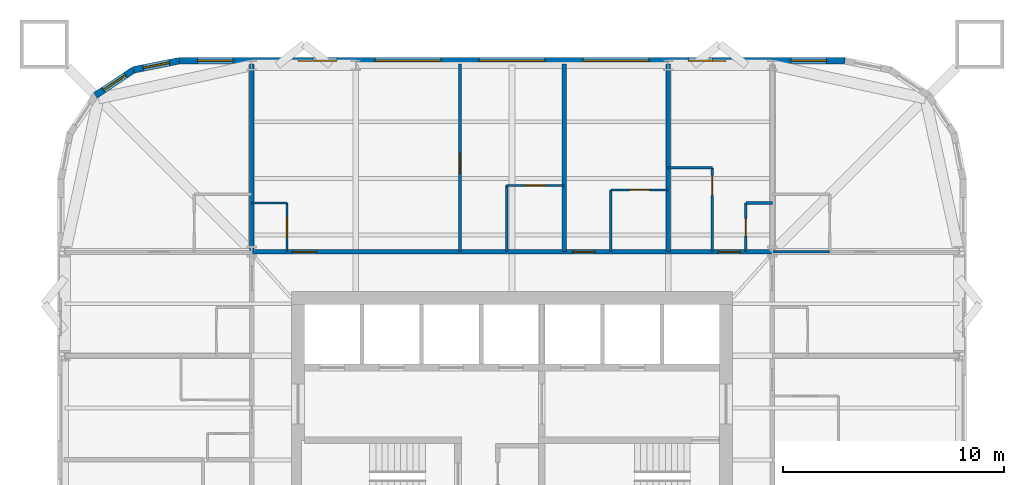
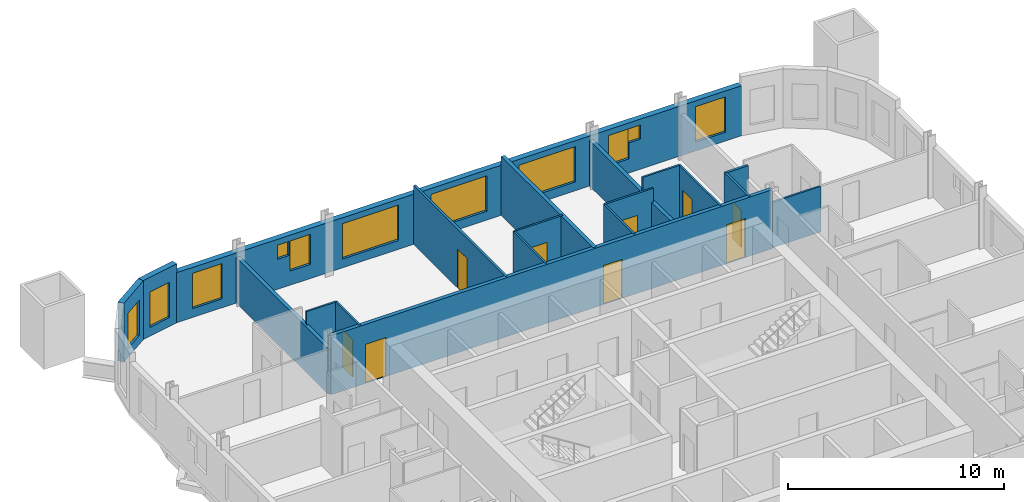
# One storey, part 8 of 10: 19 walls, 11 windows, 9 doors, 20 openings.
"""IFC4 building model written with IfcOpenShell, lengths in metres."""

from ifc_helpers import new_model, si_unit, direction, frame, frame_2d, origin, place, context, subcontext, project, spatial, rectangle, extrude, material, layer, layer_set, type_object, element, fill, save


model = new_model("IFC4")

# Units and contexts
model_context = context("Model", 3, precision=1e-05, world=origin(), true_north=direction((0.0, 1.0)))
body_context = subcontext(model_context, "Body", "Model", "MODEL_VIEW")
ifc_project = project(units=[si_unit("LENGTHUNIT", "METRE"), si_unit("AREAUNIT", "SQUARE_METRE"), si_unit("VOLUMEUNIT", "CUBIC_METRE"), si_unit("PLANEANGLEUNIT", "RADIAN"), si_unit("MASSUNIT", "GRAM", prefix="KILO")], contexts=[model_context])

# Site, building, storey
site_placement = place(None, origin())
site = spatial("IfcSite", under=ifc_project, at=site_placement, CompositionType="ELEMENT")
building_placement = place(site_placement, origin())
building = spatial("IfcBuilding", under=site, at=building_placement, Name="Turquesa Mirador Hotel Tower", CompositionType="ELEMENT")
storey_placement = place(building_placement, frame((0.0, 0.0, 138.89990234375)))
storey = spatial("IfcBuildingStorey", under=building, at=storey_placement, Name="L37", CompositionType="ELEMENT", Elevation=138.89990234375)

# Walls
ifc_material_1 = material(Name="Gypsum board on steel studs", Category="steel")
ifc_layer_1 = layer(ifc_material_1, 0.10009765625)
ifc_layer_set_1 = layer_set([ifc_layer_1], Name="BATHROOM WALL 100")
wall_type_1 = type_object("IfcWallType", Name="BATHROOM WALL 100", PredefinedType="PARTITIONING", material=ifc_layer_set_1)
wall_1_placement = place(storey_placement, frame((66.800048828125, 56.800048828125, 0.0), z_axis=(0.0, 0.0, 1.0), x_axis=(1.0, 0.0, 0.0)))
element("IfcWall", 1, at=wall_1_placement, inside=storey, type_object=wall_type_1, Name="Partition L37 027", PredefinedType="PARTITIONING", context=body_context, shape_type="SweptSolid", body=[
    extrude(rectangle(XDim=2.599853515625, YDim=0.10009765625, at=frame_2d((1.2998046875, 0.0))), origin(), (0.0, 0.0, 1.0), 2.5732421875),
])
wall_2_placement = place(storey_placement, frame((43.199951171875, 59.0, 0.0), z_axis=(0.0, 0.0, 1.0), x_axis=(1.0, 0.0, 0.0)))
element("IfcWall", 2, at=wall_2_placement, inside=storey, type_object=wall_type_1, Name="Partition L37 031", PredefinedType="PARTITIONING", context=body_context, shape_type="SweptSolid", body=[
    extrude(rectangle(XDim=1.60009765625, YDim=0.10009765625, at=frame_2d((0.800048828125, 0.0))), origin(), (0.0, 0.0, 1.0), 3.330078125),
])

# Wall, opening, door
wall_3_placement = place(storey_placement, frame((59.47998046875, 59.60009765625, 0.0), z_axis=(0.0, 0.0, 1.0), x_axis=(1.0, 0.0, 0.0)))
wall_3 = element("IfcWall", 3, at=wall_3_placement, inside=storey, type_object=wall_type_1, Name="Partition L37 035", PredefinedType="PARTITIONING", context=body_context, shape_type="SweptSolid", body=[
    extrude(rectangle(XDim=2.60009765625, YDim=0.10009765625, at=frame_2d((1.300048828125, 0.0))), origin(), (0.0, 0.0, 1.0), 3.330078125),
])
opening_1_placement = place(wall_3_placement, frame((0.85009765625, 0.0, 0.0)))
opening_1 = element("IfcOpeningElement", 4, at=opening_1_placement, cuts=wall_3, Name="Opening D02", PredefinedType="OPENING", context=body_context, shape_type="SweptSolid", body=[
    extrude(rectangle(XDim=0.89990234375, YDim=2.10009765625, at=frame_2d((0.449951171875, 1.050048828125))), frame((0.0, 0.06005859375, 0.0), z_axis=(0.0, -1.0, 0.0), x_axis=(1.0, 0.0, 0.0)), (0.0, 0.0, 1.0), 0.1201171875),
])
ifc_material_2 = material(Name="Timber veneered door", Category="wood")
door_type_1 = type_object("IfcDoorType", Name="DOOR 900X2100 EN-SUITE", OperationType="SINGLE_SWING_RIGHT", PredefinedType="DOOR", material=ifc_material_2)
door_1_placement = place(opening_1_placement, origin())
door_1 = element("IfcDoor", 5, at=door_1_placement, inside=storey, type_object=door_type_1, Name="Door 3702B", OperationType="SINGLE_SWING_RIGHT", OverallHeight=2.10009765625, OverallWidth=0.89990234375, PredefinedType="DOOR", context=body_context, shape_type="SweptSolid", body=[
    extrude(rectangle(XDim=0.89990234375, YDim=2.10009765625, at=frame_2d((0.449951171875, 1.050048828125))), frame((0.0, 0.02490234375, 0.0), z_axis=(0.0, -1.0, 0.0), x_axis=(1.0, 0.0, 0.0)), (0.0, 0.0, 1.0), 0.050048828125),
])
fill(opening_1, door_1)

wall_4_placement = place(storey_placement, frame((54.760009765625, 59.800048828125, 0.0), z_axis=(0.0, 0.0, 1.0), x_axis=(1.0, 0.0, 0.0)))
wall_4 = element("IfcWall", 6, at=wall_4_placement, inside=storey, type_object=wall_type_1, Name="Partition L37 036", PredefinedType="PARTITIONING", context=body_context, shape_type="SweptSolid", body=[
    extrude(rectangle(XDim=2.60009765625, YDim=0.10009765625, at=frame_2d((1.300048828125, 0.0))), origin(), (0.0, 0.0, 1.0), 3.330078125),
])
opening_2_placement = place(wall_4_placement, frame((0.85009765625, 0.0, 0.0)))
opening_2 = element("IfcOpeningElement", 7, at=opening_2_placement, cuts=wall_4, Name="Opening D02", PredefinedType="OPENING", context=body_context, shape_type="SweptSolid", body=[
    extrude(rectangle(XDim=0.89990234375, YDim=2.10009765625, at=frame_2d((0.449951171875, 1.050048828125))), frame((0.0, 0.06005859375, 0.0), z_axis=(0.0, -1.0, 0.0), x_axis=(1.0, 0.0, 0.0)), (0.0, 0.0, 1.0), 0.1201171875),
])
door_2_placement = place(opening_2_placement, origin())
door_2 = element("IfcDoor", 8, at=door_2_placement, inside=storey, type_object=door_type_1, Name="Door 3701B", OperationType="SINGLE_SWING_RIGHT", OverallHeight=2.10009765625, OverallWidth=0.89990234375, PredefinedType="DOOR", context=body_context, shape_type="SweptSolid", body=[
    extrude(rectangle(XDim=0.89990234375, YDim=2.10009765625, at=frame_2d((0.449951171875, 1.050048828125))), frame((0.0, 0.02490234375, 0.0), z_axis=(0.0, -1.0, 0.0), x_axis=(1.0, 0.0, 0.0)), (0.0, 0.0, 1.0), 0.050048828125),
])
fill(opening_2, door_2)

# Walls
wall_5_placement = place(storey_placement, frame((62.080078125, 60.60009765625, 0.0), z_axis=(0.0, 0.0, 1.0), x_axis=(1.0, 0.0, 0.0)))
element("IfcWall", 9, at=wall_5_placement, inside=storey, type_object=wall_type_1, Name="Partition L37 037", PredefinedType="PARTITIONING", context=body_context, shape_type="SweptSolid", body=[
    extrude(rectangle(XDim=2.0, YDim=0.10009765625, at=frame_2d((1.0, 0.0))), origin(), (0.0, 0.0, 1.0), 3.330078125),
])
wall_6_placement = place(storey_placement, frame((54.760009765625, 56.800048828125, 0.0), z_axis=(0.0, 0.0, 1.0), x_axis=(0.0, 1.0, 0.0)))
element("IfcWall", 10, at=wall_6_placement, inside=storey, type_object=wall_type_1, Name="Partition L37 049", PredefinedType="PARTITIONING", context=body_context, shape_type="SweptSolid", body=[
    extrude(rectangle(XDim=3.0, YDim=0.10009765625, at=frame_2d((1.5, 0.0))), origin(), (0.0, 0.0, 1.0), 3.330078125),
])

# Wall, opening, door
wall_7_placement = place(storey_placement, frame((44.800048828125, 56.800048828125, 0.0), z_axis=(0.0, 0.0, 1.0), x_axis=(0.0, 1.0, 0.0)))
wall_7 = element("IfcWall", 11, at=wall_7_placement, inside=storey, type_object=wall_type_1, Name="Partition L37 050", PredefinedType="PARTITIONING", context=body_context, shape_type="SweptSolid", body=[
    extrude(rectangle(XDim=2.199951171875, YDim=0.10009765625, at=frame_2d((1.10009765625, 0.0))), origin(), (0.0, 0.0, 1.0), 3.330078125),
])
opening_3_placement = place(wall_7_placement, frame((0.64990234375, 0.0, 0.0)))
opening_3 = element("IfcOpeningElement", 12, at=opening_3_placement, cuts=wall_7, Name="Opening D06", PredefinedType="OPENING", context=body_context, shape_type="SweptSolid", body=[
    extrude(rectangle(XDim=0.89990234375, YDim=2.10009765625, at=frame_2d((0.449951171875, 1.050048828125))), frame((0.0, 0.06005859375, 0.0), z_axis=(0.0, -1.0, 0.0), x_axis=(1.0, 0.0, 0.0)), (0.0, 0.0, 1.0), 0.1201171875),
])
ifc_material_3 = material(Name="Laminate door", Category="wood")
door_type_2 = type_object("IfcDoorType", Name="DOOR 900X2100 WC", OperationType="SINGLE_SWING_LEFT", PredefinedType="DOOR", material=ifc_material_3)
door_3_placement = place(opening_3_placement, origin())
door_3 = element("IfcDoor", 13, at=door_3_placement, inside=storey, type_object=door_type_2, Name="Door 3701W", OperationType="SINGLE_SWING_LEFT", OverallHeight=2.10009765625, OverallWidth=0.89990234375, PredefinedType="DOOR", context=body_context, shape_type="SweptSolid", body=[
    extrude(rectangle(XDim=0.89990234375, YDim=2.10009765625, at=frame_2d((0.449951171875, 1.050048828125))), frame((0.0, 0.02490234375, 0.0), z_axis=(0.0, -1.0, 0.0), x_axis=(1.0, 0.0, 0.0)), (0.0, 0.0, 1.0), 0.050048828125),
])
fill(opening_3, door_3)

# Wall
wall_8_placement = place(storey_placement, frame((59.47998046875, 56.800048828125, 0.0), z_axis=(0.0, 0.0, 1.0), x_axis=(0.0, 1.0, 0.0)))
element("IfcWall", 14, at=wall_8_placement, inside=storey, type_object=wall_type_1, Name="Partition L37 082", PredefinedType="PARTITIONING", context=body_context, shape_type="SweptSolid", body=[
    extrude(rectangle(XDim=2.800048828125, YDim=0.10009765625, at=frame_2d((1.39990234375, 0.0))), origin(), (0.0, 0.0, 1.0), 3.330078125),
])

# Wall, opening, door
wall_9_placement = place(storey_placement, frame((64.080078125, 56.800048828125, 0.0), z_axis=(0.0, 0.0, 1.0), x_axis=(0.0, 1.0, 0.0)))
wall_9 = element("IfcWall", 15, at=wall_9_placement, inside=storey, type_object=wall_type_1, Name="Partition L37 087", PredefinedType="PARTITIONING", context=body_context, shape_type="SweptSolid", body=[
    extrude(rectangle(XDim=3.800048828125, YDim=0.10009765625, at=frame_2d((1.89990234375, 0.0))), origin(), (0.0, 0.0, 1.0), 3.330078125),
])
opening_4_placement = place(wall_9_placement, frame((2.550048828125, 0.0, 0.0)))
opening_4 = element("IfcOpeningElement", 16, at=opening_4_placement, cuts=wall_9, Name="Opening D02", PredefinedType="OPENING", context=body_context, shape_type="SweptSolid", body=[
    extrude(rectangle(XDim=0.89990234375, YDim=2.10009765625, at=frame_2d((0.449951171875, 1.050048828125))), frame((0.0, 0.06005859375, 0.0), z_axis=(0.0, -1.0, 0.0), x_axis=(1.0, 0.0, 0.0)), (0.0, 0.0, 1.0), 0.1201171875),
])
door_4_placement = place(opening_4_placement, origin())
door_4 = element("IfcDoor", 17, at=door_4_placement, inside=storey, type_object=door_type_1, Name="Door 3703B", OperationType="SINGLE_SWING_RIGHT", OverallHeight=2.10009765625, OverallWidth=0.89990234375, PredefinedType="DOOR", context=body_context, shape_type="SweptSolid", body=[
    extrude(rectangle(XDim=0.89990234375, YDim=2.10009765625, at=frame_2d((0.449951171875, 1.050048828125))), frame((0.0, 0.02490234375, 0.0), z_axis=(0.0, -1.0, 0.0), x_axis=(1.0, 0.0, 0.0)), (0.0, 0.0, 1.0), 0.050048828125),
])
fill(opening_4, door_4)

# Wall, openings, doors
ifc_material_4 = material(Name="Fire-rated gypsum board on steel studs", Category="steel")
ifc_layer_2 = layer(ifc_material_4, 0.199951171875)
ifc_layer_set_2 = layer_set([ifc_layer_2], Name="CORRIDOR WALL 200")
wall_type_2 = type_object("IfcWallType", Name="CORRIDOR WALL 200", PredefinedType="PARTITIONING", material=ifc_layer_set_2)
wall_10_placement = place(storey_placement, frame((43.199951171875, 56.800048828125, 0.0), z_axis=(0.0, 0.0, 1.0), x_axis=(1.0, 0.0, 0.0)))
wall_10 = element("IfcWall", 18, at=wall_10_placement, inside=storey, type_object=wall_type_2, Name="Partition L37 028", PredefinedType="PARTITIONING", context=body_context, shape_type="SweptSolid", body=[
    extrude(rectangle(XDim=23.60009765625, YDim=0.199951171875, at=frame_2d((11.800048828125, 0.0))), origin(), (0.0, 0.0, 1.0), 3.330078125),
])
opening_5_placement = place(wall_10_placement, frame((1.85009765625, 0.0, 0.0)))
opening_5 = element("IfcOpeningElement", 19, at=opening_5_placement, cuts=wall_10, Name="Opening D15", PredefinedType="OPENING", context=body_context, shape_type="SweptSolid", body=[
    extrude(rectangle(XDim=1.10009765625, YDim=2.199951171875, at=frame_2d((0.550048828125, 1.10009765625))), frame((0.0, 0.10986328125, 0.0), z_axis=(0.0, -1.0, 0.0), x_axis=(1.0, 0.0, 0.0)), (0.0, 0.0, 1.0), 0.219970703125),
])
opening_6_placement = place(wall_10_placement, frame((14.56005859375, 0.0, 0.0)))
opening_6 = element("IfcOpeningElement", 20, at=opening_6_placement, cuts=wall_10, Name="Opening D01", PredefinedType="OPENING", context=body_context, shape_type="SweptSolid", body=[
    extrude(rectangle(XDim=1.0, YDim=2.199951171875, at=frame_2d((0.5, 1.10009765625))), frame((0.0, 0.10986328125, 0.0), z_axis=(0.0, -1.0, 0.0), x_axis=(1.0, 0.0, 0.0)), (0.0, 0.0, 1.0), 0.219970703125),
])
opening_7_placement = place(wall_10_placement, frame((21.139892578125, 0.0, 0.0)))
opening_7 = element("IfcOpeningElement", 21, at=opening_7_placement, cuts=wall_10, Name="Opening D01", PredefinedType="OPENING", context=body_context, shape_type="SweptSolid", body=[
    extrude(rectangle(XDim=1.0, YDim=2.199951171875, at=frame_2d((0.5, 1.10009765625))), frame((0.0, 0.10986328125, 0.0), z_axis=(0.0, -1.0, 0.0), x_axis=(1.0, 0.0, 0.0)), (0.0, 0.0, 1.0), 0.219970703125),
])
ifc_material_5 = material(Name="Timber veneered fire door", Category="wood")
door_type_3 = type_object("IfcDoorType", Name="DOOR 1000X2200 GUEST ENTRY", OperationType="SINGLE_SWING_LEFT", PredefinedType="DOOR", material=ifc_material_5)
door_5_placement = place(opening_6_placement, origin())
door_5 = element("IfcDoor", 22, at=door_5_placement, inside=storey, type_object=door_type_3, Name="Door 3702", OperationType="SINGLE_SWING_LEFT", OverallHeight=2.199951171875, OverallWidth=1.0, PredefinedType="DOOR", context=body_context, shape_type="SweptSolid", body=[
    extrude(rectangle(XDim=1.0, YDim=2.199951171875, at=frame_2d((0.5, 1.10009765625))), frame((0.0, 0.02490234375, 0.0), z_axis=(0.0, -1.0, 0.0), x_axis=(1.0, 0.0, 0.0)), (0.0, 0.0, 1.0), 0.050048828125),
])
fill(opening_6, door_5)
door_6_placement = place(opening_7_placement, origin())
door_6 = element("IfcDoor", 23, at=door_6_placement, inside=storey, type_object=door_type_3, Name="Door 3703", OperationType="SINGLE_SWING_LEFT", OverallHeight=2.199951171875, OverallWidth=1.0, PredefinedType="DOOR", context=body_context, shape_type="SweptSolid", body=[
    extrude(rectangle(XDim=1.0, YDim=2.199951171875, at=frame_2d((0.5, 1.10009765625))), frame((0.0, 0.02490234375, 0.0), z_axis=(0.0, -1.0, 0.0), x_axis=(1.0, 0.0, 0.0)), (0.0, 0.0, 1.0), 0.050048828125),
])
fill(opening_7, door_6)
ifc_material_6 = material(Name="Timber veneered fire door", Category="wood")
door_type_4 = type_object("IfcDoorType", Name="DOOR 1100X2200 SUITE ENTRY", OperationType="SINGLE_SWING_LEFT", PredefinedType="DOOR", material=ifc_material_6)
door_7_placement = place(opening_5_placement, origin())
door_7 = element("IfcDoor", 24, at=door_7_placement, inside=storey, type_object=door_type_4, Name="Door 3701", OperationType="SINGLE_SWING_LEFT", OverallHeight=2.199951171875, OverallWidth=1.10009765625, PredefinedType="DOOR", context=body_context, shape_type="SweptSolid", body=[
    extrude(rectangle(XDim=1.10009765625, YDim=2.199951171875, at=frame_2d((0.550048828125, 1.10009765625))), frame((0.0, 0.02490234375, 0.0), z_axis=(0.0, -1.0, 0.0), x_axis=(1.0, 0.0, 0.0)), (0.0, 0.0, 1.0), 0.050048828125),
])
fill(opening_5, door_7)

# Wall, openings, windows
ifc_material_7 = material(Name="Limestone cladding on concrete block", Category="masonry")
ifc_layer_3 = layer(ifc_material_7, 0.300048828125)
ifc_layer_set_3 = layer_set([ifc_layer_3], Name="FACADE WALL 300 STONE SCREEN")
wall_type_3 = type_object("IfcWallType", Name="FACADE WALL 300 STONE SCREEN", PredefinedType="SOLIDWALL", material=ifc_layer_set_3)
wall_11_placement = place(storey_placement, frame((70.10009765625, 65.449951171875, 0.0), z_axis=(0.0, 0.0, 1.0), x_axis=(-1.0, 0.0, 0.0)))
wall_11 = element("IfcWall", 25, at=wall_11_placement, inside=storey, type_object=wall_type_3, Name="Facade wall L37 09", PredefinedType="SOLIDWALL", context=body_context, shape_type="SweptSolid", body=[
    extrude(rectangle(XDim=30.2001953125, YDim=0.300048828125, at=frame_2d((15.10009765625, 0.0))), origin(), (0.0, 0.0, 1.0), 2.830078125),
])
opening_8_placement = place(wall_11_placement, frame((0.85009765625, 0.0, 0.5)))
opening_8 = element("IfcOpeningElement", 26, at=opening_8_placement, cuts=wall_11, Name="Opening WN3", PredefinedType="OPENING", context=body_context, shape_type="SweptSolid", body=[
    extrude(rectangle(XDim=1.60009765625, YDim=2.0, at=frame_2d((0.800048828125, 1.0))), frame((0.0, 0.159912109375, 0.0), z_axis=(0.0, -1.0, 0.0), x_axis=(1.0, 0.0, 0.0)), (0.0, 0.0, 1.0), 0.320068359375),
])
opening_9_placement = place(wall_11_placement, frame((6.010009765625, 0.0, 0.800048828125)))
opening_9 = element("IfcOpeningElement", 27, at=opening_9_placement, cuts=wall_11, Name="Opening WN26", PredefinedType="OPENING", context=body_context, shape_type="SweptSolid", body=[
    extrude(rectangle(XDim=1.10009765625, YDim=1.699951171875, at=frame_2d((0.550048828125, 0.85009765625))), frame((0.0, 0.159912109375, 0.0), z_axis=(0.0, -1.0, 0.0), x_axis=(1.0, 0.0, 0.0)), (0.0, 0.0, 1.0), 0.320068359375),
])
opening_10_placement = place(wall_11_placement, frame((8.8798828125, 0.0, 0.5)))
opening_10 = element("IfcOpeningElement", 28, at=opening_10_placement, cuts=wall_11, Name="Opening WN1", PredefinedType="OPENING", context=body_context, shape_type="SweptSolid", body=[
    extrude(rectangle(XDim=3.0, YDim=2.0, at=frame_2d((1.5, 1.0))), frame((0.0, 0.159912109375, 0.0), z_axis=(0.0, -1.0, 0.0), x_axis=(1.0, 0.0, 0.0)), (0.0, 0.0, 1.0), 0.320068359375),
])
opening_11_placement = place(wall_11_placement, frame((13.60009765625, 0.0, 0.5)))
opening_11 = element("IfcOpeningElement", 29, at=opening_11_placement, cuts=wall_11, Name="Opening WN1", PredefinedType="OPENING", context=body_context, shape_type="SweptSolid", body=[
    extrude(rectangle(XDim=3.0, YDim=2.0, at=frame_2d((1.5, 1.0))), frame((0.0, 0.159912109375, 0.0), z_axis=(0.0, -1.0, 0.0), x_axis=(1.0, 0.0, 0.0)), (0.0, 0.0, 1.0), 0.320068359375),
])
opening_12_placement = place(wall_11_placement, frame((18.320068359375, 0.0, 0.5)))
opening_12 = element("IfcOpeningElement", 30, at=opening_12_placement, cuts=wall_11, Name="Opening WN1", PredefinedType="OPENING", context=body_context, shape_type="SweptSolid", body=[
    extrude(rectangle(XDim=3.0, YDim=2.0, at=frame_2d((1.5, 1.0))), frame((0.0, 0.159912109375, 0.0), z_axis=(0.0, -1.0, 0.0), x_axis=(1.0, 0.0, 0.0)), (0.0, 0.0, 1.0), 0.320068359375),
])
opening_13_placement = place(wall_11_placement, frame((23.0400390625, 0.0, 0.800048828125)))
opening_13 = element("IfcOpeningElement", 31, at=opening_13_placement, cuts=wall_11, Name="Opening WN26", PredefinedType="OPENING", context=body_context, shape_type="SweptSolid", body=[
    extrude(rectangle(XDim=1.10009765625, YDim=1.699951171875, at=frame_2d((0.550048828125, 0.85009765625))), frame((0.0, 0.159912109375, 0.0), z_axis=(0.0, -1.0, 0.0), x_axis=(1.0, 0.0, 0.0)), (0.0, 0.0, 1.0), 0.320068359375),
])
opening_14_placement = place(wall_11_placement, frame((27.75, 0.0, 0.5)))
opening_14 = element("IfcOpeningElement", 32, at=opening_14_placement, cuts=wall_11, Name="Opening WN3", PredefinedType="OPENING", context=body_context, shape_type="SweptSolid", body=[
    extrude(rectangle(XDim=1.60009765625, YDim=2.0, at=frame_2d((0.800048828125, 1.0))), frame((0.0, 0.159912109375, 0.0), z_axis=(0.0, -1.0, 0.0), x_axis=(1.0, 0.0, 0.0)), (0.0, 0.0, 1.0), 0.320068359375),
])
opening_15_placement = place(wall_11_placement, frame((5.409912109375, 0.0, 1.699951171875)))
opening_15 = element("IfcOpeningElement", 33, at=opening_15_placement, cuts=wall_11, Name="Opening WN28", PredefinedType="OPENING", context=body_context, shape_type="SweptSolid", body=[
    extrude(rectangle(XDim=0.60009765625, YDim=0.800048828125, at=frame_2d((0.300048828125, 0.39990234375))), frame((0.0, 0.159912109375, 0.0), z_axis=(0.0, -1.0, 0.0), x_axis=(1.0, 0.0, 0.0)), (0.0, 0.0, 1.0), 0.320068359375),
])
opening_16_placement = place(wall_11_placement, frame((24.18994140625, 0.0, 1.699951171875)))
opening_16 = element("IfcOpeningElement", 34, at=opening_16_placement, cuts=wall_11, Name="Opening WN28", PredefinedType="OPENING", context=body_context, shape_type="SweptSolid", body=[
    extrude(rectangle(XDim=0.60009765625, YDim=0.800048828125, at=frame_2d((0.300048828125, 0.39990234375))), frame((0.0, 0.159912109375, 0.0), z_axis=(0.0, -1.0, 0.0), x_axis=(1.0, 0.0, 0.0)), (0.0, 0.0, 1.0), 0.320068359375),
])
ifc_material_8 = material(Name="Ceramic-fritted laminated glass", Category="glass")
window_type_1 = type_object("IfcWindowType", Name="FRITTED WINDOW 1100X1700", PartitioningType="DOUBLE_PANEL_HORIZONTAL", PredefinedType="WINDOW", material=ifc_material_8)
window_1_placement = place(opening_9_placement, origin())
window_1 = element("IfcWindow", 35, at=window_1_placement, inside=storey, type_object=window_type_1, Name="Window L37", OverallHeight=1.699951171875, OverallWidth=1.10009765625, PartitioningType="SINGLE_PANEL", PredefinedType="WINDOW", context=body_context, shape_type="SweptSolid", body=[
    extrude(rectangle(XDim=1.10009765625, YDim=1.699951171875, at=frame_2d((0.550048828125, 0.85009765625))), frame((0.0, 0.030029296875, 0.0), z_axis=(0.0, -1.0, 0.0), x_axis=(1.0, 0.0, 0.0)), (0.0, 0.0, 1.0), 0.06005859375),
])
fill(opening_9, window_1)
window_2_placement = place(opening_13_placement, origin())
window_2 = element("IfcWindow", 36, at=window_2_placement, inside=storey, type_object=window_type_1, Name="Window L37", OverallHeight=1.699951171875, OverallWidth=1.10009765625, PartitioningType="SINGLE_PANEL", PredefinedType="WINDOW", context=body_context, shape_type="SweptSolid", body=[
    extrude(rectangle(XDim=1.10009765625, YDim=1.699951171875, at=frame_2d((0.550048828125, 0.85009765625))), frame((0.0, 0.030029296875, 0.0), z_axis=(0.0, -1.0, 0.0), x_axis=(1.0, 0.0, 0.0)), (0.0, 0.0, 1.0), 0.06005859375),
])
fill(opening_13, window_2)
ifc_material_9 = material(Name="Ceramic-fritted laminated glass", Category="glass")
window_type_2 = type_object("IfcWindowType", Name="FRITTED WINDOW 1600X2000", PartitioningType="DOUBLE_PANEL_HORIZONTAL", PredefinedType="WINDOW", material=ifc_material_9)
window_3_placement = place(opening_8_placement, origin())
window_3 = element("IfcWindow", 37, at=window_3_placement, inside=storey, type_object=window_type_2, Name="Window L37", OverallHeight=2.0, OverallWidth=1.60009765625, PartitioningType="SINGLE_PANEL", PredefinedType="WINDOW", context=body_context, shape_type="SweptSolid", body=[
    extrude(rectangle(XDim=1.60009765625, YDim=2.0, at=frame_2d((0.800048828125, 1.0))), frame((0.0, 0.030029296875, 0.0), z_axis=(0.0, -1.0, 0.0), x_axis=(1.0, 0.0, 0.0)), (0.0, 0.0, 1.0), 0.06005859375),
])
fill(opening_8, window_3)
window_4_placement = place(opening_14_placement, origin())
window_4 = element("IfcWindow", 38, at=window_4_placement, inside=storey, type_object=window_type_2, Name="Window L37", OverallHeight=2.0, OverallWidth=1.60009765625, PartitioningType="SINGLE_PANEL", PredefinedType="WINDOW", context=body_context, shape_type="SweptSolid", body=[
    extrude(rectangle(XDim=1.60009765625, YDim=2.0, at=frame_2d((0.800048828125, 1.0))), frame((0.0, 0.030029296875, 0.0), z_axis=(0.0, -1.0, 0.0), x_axis=(1.0, 0.0, 0.0)), (0.0, 0.0, 1.0), 0.06005859375),
])
fill(opening_14, window_4)
ifc_material_10 = material(Name="Ceramic-fritted laminated glass", Category="glass")
window_type_3 = type_object("IfcWindowType", Name="FRITTED WINDOW 3000X2000", PartitioningType="DOUBLE_PANEL_HORIZONTAL", PredefinedType="WINDOW", material=ifc_material_10)
window_5_placement = place(opening_10_placement, origin())
window_5 = element("IfcWindow", 39, at=window_5_placement, inside=storey, type_object=window_type_3, Name="Window L37", OverallHeight=2.0, OverallWidth=3.0, PartitioningType="SINGLE_PANEL", PredefinedType="WINDOW", context=body_context, shape_type="SweptSolid", body=[
    extrude(rectangle(XDim=3.0, YDim=2.0, at=frame_2d((1.5, 1.0))), frame((0.0, 0.030029296875, 0.0), z_axis=(0.0, -1.0, 0.0), x_axis=(1.0, 0.0, 0.0)), (0.0, 0.0, 1.0), 0.06005859375),
])
fill(opening_10, window_5)
window_6_placement = place(opening_11_placement, origin())
window_6 = element("IfcWindow", 40, at=window_6_placement, inside=storey, type_object=window_type_3, Name="Window L37", OverallHeight=2.0, OverallWidth=3.0, PartitioningType="SINGLE_PANEL", PredefinedType="WINDOW", context=body_context, shape_type="SweptSolid", body=[
    extrude(rectangle(XDim=3.0, YDim=2.0, at=frame_2d((1.5, 1.0))), frame((0.0, 0.030029296875, 0.0), z_axis=(0.0, -1.0, 0.0), x_axis=(1.0, 0.0, 0.0)), (0.0, 0.0, 1.0), 0.06005859375),
])
fill(opening_11, window_6)
window_7_placement = place(opening_12_placement, origin())
window_7 = element("IfcWindow", 41, at=window_7_placement, inside=storey, type_object=window_type_3, Name="Window L37", OverallHeight=2.0, OverallWidth=3.0, PartitioningType="SINGLE_PANEL", PredefinedType="WINDOW", context=body_context, shape_type="SweptSolid", body=[
    extrude(rectangle(XDim=3.0, YDim=2.0, at=frame_2d((1.5, 1.0))), frame((0.0, 0.030029296875, 0.0), z_axis=(0.0, -1.0, 0.0), x_axis=(1.0, 0.0, 0.0)), (0.0, 0.0, 1.0), 0.06005859375),
])
fill(opening_12, window_7)
ifc_material_11 = material(Name="Ceramic-fritted laminated glass", Category="glass")
window_type_4 = type_object("IfcWindowType", Name="FRITTED WINDOW 600X800", PartitioningType="DOUBLE_PANEL_HORIZONTAL", PredefinedType="WINDOW", material=ifc_material_11)
window_8_placement = place(opening_15_placement, origin())
window_8 = element("IfcWindow", 42, at=window_8_placement, inside=storey, type_object=window_type_4, Name="Window L37", OverallHeight=0.800048828125, OverallWidth=0.60009765625, PartitioningType="SINGLE_PANEL", PredefinedType="WINDOW", context=body_context, shape_type="SweptSolid", body=[
    extrude(rectangle(XDim=0.60009765625, YDim=0.800048828125, at=frame_2d((0.300048828125, 0.39990234375))), frame((0.0, 0.030029296875, 0.0), z_axis=(0.0, -1.0, 0.0), x_axis=(1.0, 0.0, 0.0)), (0.0, 0.0, 1.0), 0.06005859375),
])
fill(opening_15, window_8)
window_9_placement = place(opening_16_placement, origin())
window_9 = element("IfcWindow", 43, at=window_9_placement, inside=storey, type_object=window_type_4, Name="Window L37", OverallHeight=0.800048828125, OverallWidth=0.60009765625, PartitioningType="SINGLE_PANEL", PredefinedType="WINDOW", context=body_context, shape_type="SweptSolid", body=[
    extrude(rectangle(XDim=0.60009765625, YDim=0.800048828125, at=frame_2d((0.300048828125, 0.39990234375))), frame((0.0, 0.030029296875, 0.0), z_axis=(0.0, -1.0, 0.0), x_axis=(1.0, 0.0, 0.0)), (0.0, 0.0, 1.0), 0.06005859375),
])
fill(opening_16, window_9)

# Wall, opening, window
wall_12_placement = place(storey_placement, frame((39.89990234375, 65.449951171875, 0.0), z_axis=(0.0, 0.0, 1.0), x_axis=(-0.980787050784, -0.195081421501, 0.0)))
wall_12 = element("IfcWall", 44, at=wall_12_placement, inside=storey, type_object=wall_type_3, Name="Facade wall L37 10", PredefinedType="SOLIDWALL", context=body_context, shape_type="SweptSolid", body=[
    extrude(rectangle(XDim=2.08740234375, YDim=0.300048828125, at=frame_2d((1.043701171875, 0.0))), origin(), (0.0, 0.0, 1.0), 3.330078125),
])
opening_17_placement = place(wall_12_placement, frame((0.443603515625, 0.0, 0.5)))
opening_17 = element("IfcOpeningElement", 45, at=opening_17_placement, cuts=wall_12, Name="Opening WN4", PredefinedType="OPENING", context=body_context, shape_type="SweptSolid", body=[
    extrude(rectangle(XDim=1.199951171875, YDim=2.0, at=frame_2d((0.60009765625, 1.0))), frame((0.0, 0.159912109375, 0.0), z_axis=(0.0, -1.0, 0.0), x_axis=(1.0, 0.0, 0.0)), (0.0, 0.0, 1.0), 0.320068359375),
])
ifc_material_12 = material(Name="Ceramic-fritted laminated glass", Category="glass")
window_type_5 = type_object("IfcWindowType", Name="FRITTED CORNER WINDOW 1200X2000", PartitioningType="DOUBLE_PANEL_HORIZONTAL", PredefinedType="WINDOW", material=ifc_material_12)
window_10_placement = place(opening_17_placement, origin())
window_10 = element("IfcWindow", 46, at=window_10_placement, inside=storey, type_object=window_type_5, Name="Window L37", OverallHeight=2.0, OverallWidth=1.199951171875, PartitioningType="SINGLE_PANEL", PredefinedType="WINDOW", context=body_context, shape_type="SweptSolid", body=[
    extrude(rectangle(XDim=1.199951171875, YDim=2.0, at=frame_2d((0.60009765625, 1.0))), frame((0.0, 0.030029296875, 0.0), z_axis=(0.0, -1.0, 0.0), x_axis=(1.0, 0.0, 0.0)), (0.0, 0.0, 1.0), 0.06005859375),
])
fill(opening_17, window_10)

wall_13_placement = place(storey_placement, frame((37.8525390625, 65.042724609375, 0.0), z_axis=(0.0, 0.0, 1.0), x_axis=(-0.831474039234, -0.555563607591, 0.0)))
wall_13 = element("IfcWall", 47, at=wall_13_placement, inside=storey, type_object=wall_type_3, Name="Facade wall L37 11", PredefinedType="SOLIDWALL", context=body_context, shape_type="SweptSolid", body=[
    extrude(rectangle(XDim=2.08740234375, YDim=0.300048828125, at=frame_2d((1.043701171875, 0.0))), origin(), (0.0, 0.0, 1.0), 3.330078125),
])
opening_18_placement = place(wall_13_placement, frame((0.443603515625, 0.0, 0.5)))
opening_18 = element("IfcOpeningElement", 48, at=opening_18_placement, cuts=wall_13, Name="Opening WN4", PredefinedType="OPENING", context=body_context, shape_type="SweptSolid", body=[
    extrude(rectangle(XDim=1.199951171875, YDim=2.0, at=frame_2d((0.60009765625, 1.0))), frame((0.0, 0.159912109375, 0.0), z_axis=(0.0, -1.0, 0.0), x_axis=(1.0, 0.0, 0.0)), (0.0, 0.0, 1.0), 0.320068359375),
])
window_11_placement = place(opening_18_placement, origin())
window_11 = element("IfcWindow", 49, at=window_11_placement, inside=storey, type_object=window_type_5, Name="Window L37", OverallHeight=2.0, OverallWidth=1.199951171875, PartitioningType="SINGLE_PANEL", PredefinedType="WINDOW", context=body_context, shape_type="SweptSolid", body=[
    extrude(rectangle(XDim=1.199951171875, YDim=2.0, at=frame_2d((0.60009765625, 1.0))), frame((0.0, 0.030029296875, 0.0), z_axis=(0.0, -1.0, 0.0), x_axis=(1.0, 0.0, 0.0)), (0.0, 0.0, 1.0), 0.06005859375),
])
fill(opening_18, window_11)

# Walls
ifc_material_13 = material(Name="Fire-rated gypsum board on steel studs", Category="steel")
ifc_layer_4 = layer(ifc_material_13, 0.199951171875)
ifc_layer_set_4 = layer_set([ifc_layer_4], Name="PARTY WALL 200")
wall_type_4 = type_object("IfcWallType", Name="PARTY WALL 200", PredefinedType="PARTITIONING", material=ifc_layer_set_4)
wall_14_placement = place(storey_placement, frame((43.199951171875, 56.800048828125, 0.0), z_axis=(0.0, 0.0, 1.0), x_axis=(0.0, 1.0, 0.0)))
element("IfcWall", 50, at=wall_14_placement, inside=storey, type_object=wall_type_4, Name="Partition L37 053", PredefinedType="PARTITIONING", context=body_context, shape_type="SweptSolid", body=[
    extrude(rectangle(XDim=8.5, YDim=0.199951171875, at=frame_2d((4.25, 0.0))), origin(), (0.0, 0.0, 1.0), 2.5732421875),
])
wall_15_placement = place(storey_placement, frame((57.360107421875, 56.800048828125, 0.0), z_axis=(0.0, 0.0, 1.0), x_axis=(0.0, 1.0, 0.0)))
element("IfcWall", 51, at=wall_15_placement, inside=storey, type_object=wall_type_4, Name="Partition L37 081", PredefinedType="PARTITIONING", context=body_context, shape_type="SweptSolid", body=[
    extrude(rectangle(XDim=8.5, YDim=0.199951171875, at=frame_2d((4.25, 0.0))), origin(), (0.0, 0.0, 1.0), 3.330078125),
])
wall_16_placement = place(storey_placement, frame((62.080078125, 56.800048828125, 0.0), z_axis=(0.0, 0.0, 1.0), x_axis=(0.0, 1.0, 0.0)))
element("IfcWall", 52, at=wall_16_placement, inside=storey, type_object=wall_type_4, Name="Partition L37 085", PredefinedType="PARTITIONING", context=body_context, shape_type="SweptSolid", body=[
    extrude(rectangle(XDim=8.5, YDim=0.199951171875, at=frame_2d((4.25, 0.0))), origin(), (0.0, 0.0, 1.0), 2.5732421875),
])
ifc_material_14 = material(Name="Acoustic gypsum board on steel studs", Category="steel")
ifc_layer_5 = layer(ifc_material_14, 0.125)
ifc_layer_set_5 = layer_set([ifc_layer_5], Name="SUITE PARTITION 125")
wall_type_5 = type_object("IfcWallType", Name="SUITE PARTITION 125", PredefinedType="PARTITIONING", material=ifc_layer_set_5)
wall_17_placement = place(storey_placement, frame((65.60009765625, 59.0, 0.0), z_axis=(0.0, 0.0, 1.0), x_axis=(1.0, 0.0, 0.0)))
element("IfcWall", 53, at=wall_17_placement, inside=storey, type_object=wall_type_5, Name="Partition L37 032", PredefinedType="PARTITIONING", context=body_context, shape_type="SweptSolid", body=[
    extrude(rectangle(XDim=1.199951171875, YDim=0.125, at=frame_2d((0.60009765625, 0.0))), origin(), (0.0, 0.0, 1.0), 3.330078125),
])

# Wall, opening, door
wall_18_placement = place(storey_placement, frame((52.639892578125, 56.800048828125, 0.0), z_axis=(0.0, 0.0, 1.0), x_axis=(0.0, 1.0, 0.0)))
wall_18 = element("IfcWall", 54, at=wall_18_placement, inside=storey, type_object=wall_type_5, Name="Partition L37 065", PredefinedType="PARTITIONING", context=body_context, shape_type="SweptSolid", body=[
    extrude(rectangle(XDim=8.5, YDim=0.125, at=frame_2d((4.25, 0.0))), origin(), (0.0, 0.0, 1.0), 3.330078125),
])
opening_19_placement = place(wall_18_placement, frame((3.550048828125, 0.0, 0.0)))
opening_19 = element("IfcOpeningElement", 55, at=opening_19_placement, cuts=wall_18, Name="Opening D17", PredefinedType="OPENING", context=body_context, shape_type="SweptSolid", body=[
    extrude(rectangle(XDim=0.89990234375, YDim=2.199951171875, at=frame_2d((0.449951171875, 1.10009765625))), frame((0.0, 0.072509765625, 0.0), z_axis=(0.0, -1.0, 0.0), x_axis=(1.0, 0.0, 0.0)), (0.0, 0.0, 1.0), 0.14501953125),
])
ifc_material_15 = material(Name="Timber veneered door", Category="wood")
door_type_5 = type_object("IfcDoorType", Name="DOOR 900X2200 SUITE INTERNAL", OperationType="SINGLE_SWING_LEFT", PredefinedType="DOOR", material=ifc_material_15)
door_8_placement = place(opening_19_placement, origin())
door_8 = element("IfcDoor", 56, at=door_8_placement, inside=storey, type_object=door_type_5, Name="Door 3701R", OperationType="SINGLE_SWING_LEFT", OverallHeight=2.199951171875, OverallWidth=0.89990234375, PredefinedType="DOOR", context=body_context, shape_type="SweptSolid", body=[
    extrude(rectangle(XDim=0.89990234375, YDim=2.199951171875, at=frame_2d((0.449951171875, 1.10009765625))), frame((0.0, 0.02490234375, 0.0), z_axis=(0.0, -1.0, 0.0), x_axis=(1.0, 0.0, 0.0)), (0.0, 0.0, 1.0), 0.050048828125),
])
fill(opening_19, door_8)

wall_19_placement = place(storey_placement, frame((65.60009765625, 56.800048828125, 0.0), z_axis=(0.0, 0.0, 1.0), x_axis=(0.0, 1.0, 0.0)))
wall_19 = element("IfcWall", 57, at=wall_19_placement, inside=storey, type_object=wall_type_5, Name="Partition L37 068", PredefinedType="PARTITIONING", context=body_context, shape_type="SweptSolid", body=[
    extrude(rectangle(XDim=2.199951171875, YDim=0.125, at=frame_2d((1.10009765625, 0.0))), origin(), (0.0, 0.0, 1.0), 3.330078125),
])
opening_20_placement = place(wall_19_placement, frame((0.699951171875, 0.0, 0.0)))
opening_20 = element("IfcOpeningElement", 58, at=opening_20_placement, cuts=wall_19, Name="Opening D20", PredefinedType="OPENING", context=body_context, shape_type="SweptSolid", body=[
    extrude(rectangle(XDim=0.800048828125, YDim=2.10009765625, at=frame_2d((0.39990234375, 1.050048828125))), frame((0.0, 0.072509765625, 0.0), z_axis=(0.0, -1.0, 0.0), x_axis=(1.0, 0.0, 0.0)), (0.0, 0.0, 1.0), 0.14501953125),
])
ifc_material_16 = material(Name="Timber veneered sliding door", Category="wood")
door_type_6 = type_object("IfcDoorType", Name="DOOR 800X2100 WARDROBE", OperationType="SLIDING_TO_LEFT", PredefinedType="DOOR", material=ifc_material_16)
door_9_placement = place(opening_20_placement, origin())
door_9 = element("IfcDoor", 59, at=door_9_placement, inside=storey, type_object=door_type_6, Name="Door 3703W", OperationType="SLIDING_TO_LEFT", OverallHeight=2.10009765625, OverallWidth=0.800048828125, PredefinedType="DOOR", context=body_context, shape_type="SweptSolid", body=[
    extrude(rectangle(XDim=0.800048828125, YDim=2.10009765625, at=frame_2d((0.39990234375, 1.050048828125))), frame((0.0, 0.02490234375, 0.0), z_axis=(0.0, -1.0, 0.0), x_axis=(1.0, 0.0, 0.0)), (0.0, 0.0, 1.0), 0.050048828125),
])
fill(opening_20, door_9)

save(model, "model.ifc")
